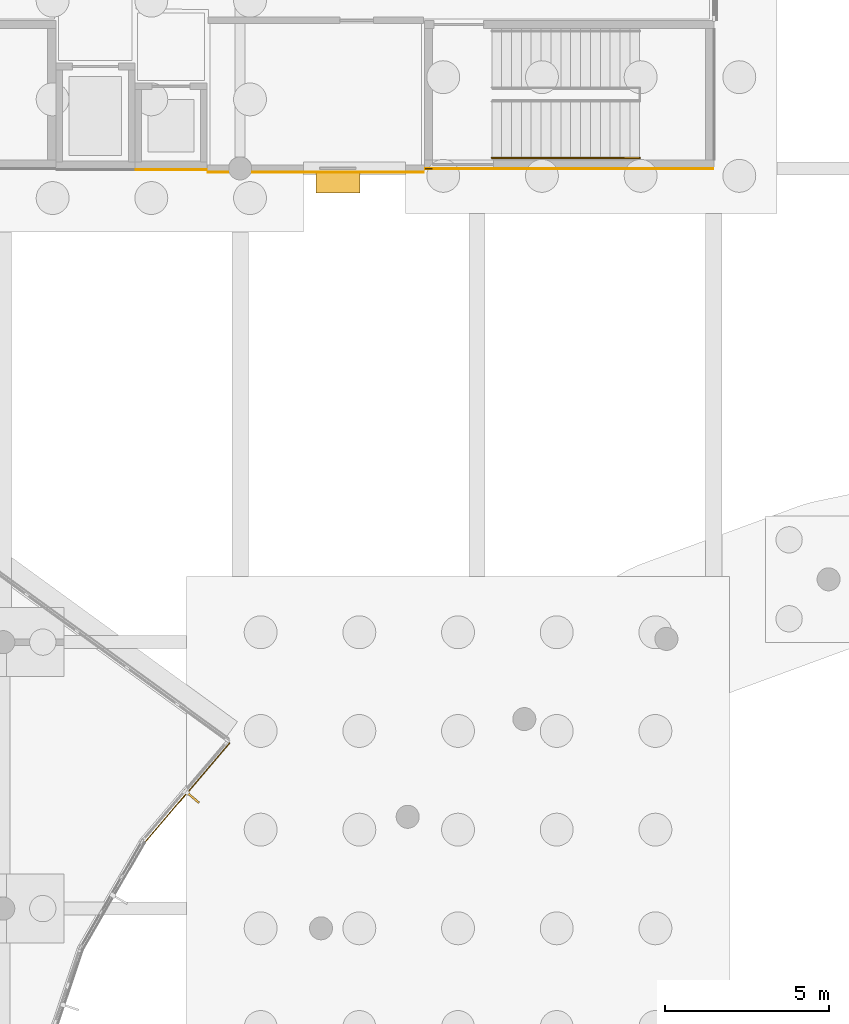
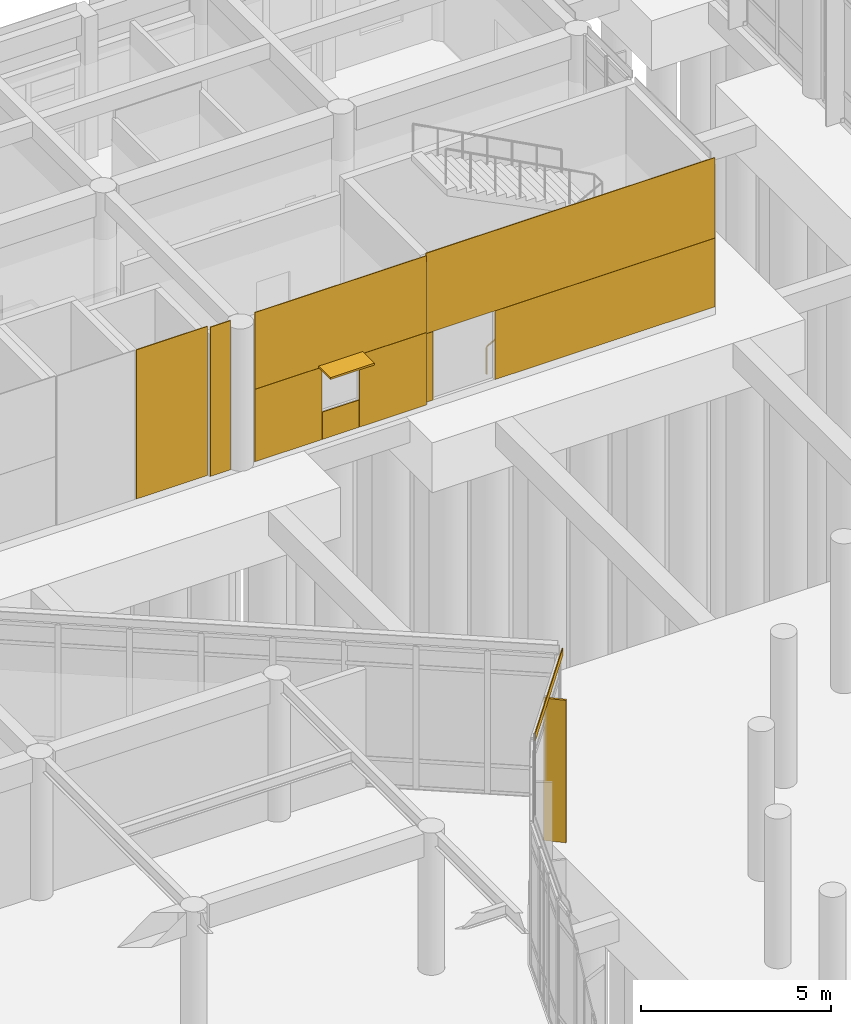
# One storey, part 93 of 103: 10 coverings, 2 shading devices, 1 railing.
"""IFC4 building model written with IfcOpenShell, lengths in metres."""

from ifc_helpers import new_model, si_unit, direction, frame, origin, origin_2d, place, context, subcontext, project, spatial, rectangle, circle, extrude, material, layer, layer_set, type_object, element, save


model = new_model("IFC4")

# Units and contexts
model_context = context("Model", 3, precision=1e-05, world=origin(), true_north=direction((0.0, 1.0)))
body_context = subcontext(model_context, "Body", "Model", "MODEL_VIEW")
ifc_project = project(units=[si_unit("LENGTHUNIT", "METRE"), si_unit("AREAUNIT", "SQUARE_METRE"), si_unit("VOLUMEUNIT", "CUBIC_METRE"), si_unit("PLANEANGLEUNIT", "RADIAN"), si_unit("MASSUNIT", "GRAM", prefix="KILO")], contexts=[model_context])

# Site, building, storey
site_placement = place(None, origin())
site = spatial("IfcSite", under=ifc_project, at=site_placement, CompositionType="ELEMENT")
building_placement = place(site_placement, origin())
building = spatial("IfcBuilding", under=site, at=building_placement, Name="Namkhue Oval Health Centre", CompositionType="ELEMENT")
storey_placement = place(building_placement, origin())
storey = spatial("IfcBuildingStorey", under=building, at=storey_placement, Name="L00", CompositionType="ELEMENT", Elevation=0.0)

# Railing
ifc_material_1 = material(Name="Brushed stainless steel 304 tubular handrail", Category="steel")
railing_type = type_object("IfcRailingType", Name="INTERIOR STAIR HANDRAIL 900", PredefinedType="HANDRAIL", material=ifc_material_1)
railing_placement = place(storey_placement, frame((79.64990234375, 90.320068359375, 0.0)))
element("IfcRailing", 1, at=railing_placement, inside=storey, type_object=railing_type, Name="Stair ST-04 L00 Flight 1 Handrail", PredefinedType="HANDRAIL", context=body_context, shape_type="SweptSolid", body=[
    extrude(circle(Radius=0.02392578125, at=origin_2d()), frame((0.0, 0.0, 0.8759765625), z_axis=(0.882360891967, 0.0, 0.470573327259), x_axis=(0.0, 1.0, 0.0)), (0.0, 0.0, 1.0), 5.099853515625),
    extrude(circle(Radius=0.02099609375, at=origin_2d()), origin(), (0.0, 0.0, 1.0), 0.851806640625),
    extrude(circle(Radius=0.02099609375, at=origin_2d()), frame((0.75, 0.0, 0.39990234375)), (0.0, 0.0, 1.0), 0.851806640625),
    extrude(circle(Radius=0.02099609375, at=origin_2d()), frame((1.5, 0.0, 0.800048828125)), (0.0, 0.0, 1.0), 0.851806640625),
    extrude(circle(Radius=0.02099609375, at=origin_2d()), frame((2.25, 0.0, 1.199951171875)), (0.0, 0.0, 1.0), 0.851806640625),
    extrude(circle(Radius=0.02099609375, at=origin_2d()), frame((3.0, 0.0, 1.599853515625)), (0.0, 0.0, 1.0), 0.851806640625),
    extrude(circle(Radius=0.02099609375, at=origin_2d()), frame((3.75, 0.0, 2.0)), (0.0, 0.0, 1.0), 0.851806640625),
    extrude(circle(Radius=0.02099609375, at=origin_2d()), frame((4.5, 0.0, 2.39990234375)), (0.0, 0.0, 1.0), 0.851806640625),
])

# Shading devices
ifc_material_2 = material(Name="Anodised aluminium EN AW-6063 T6", Category="aluminium")
ifc_layer_1 = layer(ifc_material_2, 0.050048828125)
ifc_layer_set_1 = layer_set([ifc_layer_1], Name="Anodised aluminium EN AW-6063 T6")
shading_device_type_1 = type_object("IfcShadingDeviceType", Name="STORM SHUTTER LOUVRE 650", PredefinedType="SHUTTER", material=ifc_layer_set_1)
shading_device_1_placement = place(storey_placement, frame((74.971435546875, 89.580078125, 2.340087890625), z_axis=(0.0, 0.0, 1.0), x_axis=(1.0, 0.0, 0.0)))
element("IfcShadingDevice", 2, at=shading_device_1_placement, inside=storey, type_object=shading_device_type_1, Name="Volume V2 L00 Window Monsoon Louvre 45", PredefinedType="SHUTTER", context=body_context, shape_type="SweptSolid", body=[
    extrude(rectangle(XDim=1.340087890625, YDim=0.64990234375, at=origin_2d()), origin(), (0.0, 0.0, 1.0), 0.06005859375),
])
shading_device_type_2 = type_object("IfcShadingDeviceType", Name="VERTICAL SOLAR FIN 600", PredefinedType="USERDEFINED", material=ifc_material_2)
shading_device_2_placement = place(storey_placement, frame((70.521484375, 70.909912109375, 0.0), z_axis=(0.0, 0.0, 1.0), x_axis=(0.760972426325, -0.648784221735, 0.0)))
element("IfcShadingDevice", 3, at=shading_device_2_placement, inside=storey, type_object=shading_device_type_2, Name="Volume V1 L00 Extruded Aluminium Solar Fin 10", ObjectType="SOLAR FIN", PredefinedType="USERDEFINED", context=body_context, shape_type="SweptSolid", body=[
    extrude(rectangle(XDim=0.60009765625, YDim=0.06005859375, at=origin_2d()), origin(), (0.0, 0.0, 1.0), 4.56494140625),
])

# Coverings
ifc_material_3 = material(Name="White glass-fibre reinforced concrete GRC rainscreen cladding", Category="concrete")
ifc_layer_2 = layer(ifc_material_3, 0.02490234375)
ifc_layer_set_2 = layer_set([ifc_layer_2], Name="White glass-fibre reinforced concrete GRC rainscreen cladding")
covering_type = type_object("IfcCoveringType", Name="WHITE GRC RAINSCREEN CLADDING 25", PredefinedType="CLADDING", material=ifc_layer_set_2)
covering_1_placement = place(storey_placement, frame((70.390869140625, 71.02099609375, 4.550048828125), z_axis=(0.0, 0.0, 1.0), x_axis=(0.648784221735, 0.760972426325, 0.0)))
element("IfcCovering", 4, at=covering_1_placement, inside=storey, type_object=covering_type, Name="Volume V1 L00 Curtain Wall Spandrel Cladding 10", PredefinedType="CLADDING", context=body_context, shape_type="SweptSolid", body=[
    extrude(rectangle(XDim=3.980712890625, YDim=0.02490234375, at=origin_2d()), origin(), (0.0, 0.0, 1.0), 0.25),
])
covering_2_placement = place(storey_placement, frame((71.32861328125, 89.887939453125, 0.009765625), z_axis=(0.0, 0.0, 1.0), x_axis=(1.0, 0.0, 0.0)))
element("IfcCovering", 5, at=covering_2_placement, inside=storey, type_object=covering_type, Name="Volume V2 L00 Facade 19 White GRC Cladding 1", PredefinedType="CLADDING", context=body_context, shape_type="SweptSolid", body=[
    extrude(rectangle(XDim=0.613037109375, YDim=0.02490234375, at=origin_2d()), origin(), (0.0, 0.0, 1.0), 4.780029296875),
])
covering_3_placement = place(storey_placement, frame((74.971435546875, 89.883056640625, 2.3349609375), z_axis=(0.0, 0.0, 1.0), x_axis=(1.0, 0.0, 0.0)))
element("IfcCovering", 6, at=covering_3_placement, inside=storey, type_object=covering_type, Name="Volume V2 L00 Facade 20 White GRC Cladding 1", PredefinedType="CLADDING", context=body_context, shape_type="SweptSolid", body=[
    extrude(rectangle(XDim=5.212890625, YDim=0.02490234375, at=origin_2d()), origin(), (0.0, 0.0, 1.0), 2.455078125),
])
covering_4_placement = place(storey_placement, frame((73.3857421875, 89.883056640625, 0.009765625), z_axis=(0.0, 0.0, 1.0), x_axis=(1.0, 0.0, 0.0)))
element("IfcCovering", 7, at=covering_4_placement, inside=storey, type_object=covering_type, Name="Volume V2 L00 Facade 20 White GRC Cladding 2", PredefinedType="CLADDING", context=body_context, shape_type="SweptSolid", body=[
    extrude(rectangle(XDim=2.04150390625, YDim=0.02490234375, at=origin_2d()), origin(), (0.0, 0.0, 1.0), 2.320068359375),
])
covering_5_placement = place(storey_placement, frame((74.971435546875, 89.883056640625, 0.010009765625), z_axis=(0.0, 0.0, 1.0), x_axis=(1.0, 0.0, 0.0)))
element("IfcCovering", 8, at=covering_5_placement, inside=storey, type_object=covering_type, Name="Volume V2 L00 Facade 20 White GRC Cladding 3", PredefinedType="CLADDING", context=body_context, shape_type="SweptSolid", body=[
    extrude(rectangle(XDim=1.1201171875, YDim=0.02490234375, at=origin_2d()), origin(), (0.0, 0.0, 1.0), 0.875),
])
covering_6_placement = place(storey_placement, frame((76.55712890625, 89.883056640625, 0.009765625), z_axis=(0.0, 0.0, 1.0), x_axis=(1.0, 0.0, 0.0)))
element("IfcCovering", 9, at=covering_6_placement, inside=storey, type_object=covering_type, Name="Volume V2 L00 Facade 20 White GRC Cladding 4", PredefinedType="CLADDING", context=body_context, shape_type="SweptSolid", body=[
    extrude(rectangle(XDim=2.04150390625, YDim=0.02490234375, at=origin_2d()), origin(), (0.0, 0.0, 1.0), 2.320068359375),
])
covering_7_placement = place(storey_placement, frame((82.0, 89.988037109375, 2.21484375), z_axis=(0.0, 0.0, 1.0), x_axis=(1.0, 0.0, 0.0)))
element("IfcCovering", 10, at=covering_7_placement, inside=storey, type_object=covering_type, Name="Core SC-04 L00 Core S White GRC Cladding 1", PredefinedType="CLADDING", context=body_context, shape_type="SweptSolid", body=[
    extrude(rectangle(XDim=8.760009765625, YDim=0.02490234375, at=origin_2d()), origin(), (0.0, 0.0, 1.0), 2.574951171875),
])
covering_8_placement = place(storey_placement, frame((77.7275390625, 89.988037109375, 0.01025390625), z_axis=(0.0, 0.0, 1.0), x_axis=(1.0, 0.0, 0.0)))
element("IfcCovering", 11, at=covering_8_placement, inside=storey, type_object=covering_type, Name="Core SC-04 L00 Core S White GRC Cladding 2", PredefinedType="CLADDING", context=body_context, shape_type="SweptSolid", body=[
    extrude(rectangle(XDim=0.215087890625, YDim=0.02490234375, at=origin_2d()), origin(), (0.0, 0.0, 1.0), 2.199951171875),
])
covering_9_placement = place(storey_placement, frame((83.047607421875, 89.988037109375, 0.01025390625), z_axis=(0.0, 0.0, 1.0), x_axis=(1.0, 0.0, 0.0)))
element("IfcCovering", 12, at=covering_9_placement, inside=storey, type_object=covering_type, Name="Core SC-04 L00 Core S White GRC Cladding 3", PredefinedType="CLADDING", context=body_context, shape_type="SweptSolid", body=[
    extrude(rectangle(XDim=6.6650390625, YDim=0.02490234375, at=origin_2d()), origin(), (0.0, 0.0, 1.0), 2.199951171875),
])
covering_10_placement = place(storey_placement, frame((69.89990234375, 89.962890625, 0.009765625), z_axis=(0.0, 0.0, 1.0), x_axis=(1.0, 0.0, 0.0)))
element("IfcCovering", 13, at=covering_10_placement, inside=storey, type_object=covering_type, Name="Lift LF-02 L00 S White GRC Cladding 1", PredefinedType="CLADDING", context=body_context, shape_type="SweptSolid", body=[
    extrude(rectangle(XDim=2.159912109375, YDim=0.02490234375, at=origin_2d()), origin(), (0.0, 0.0, 1.0), 4.780029296875),
])

save(model, "model.ifc")
